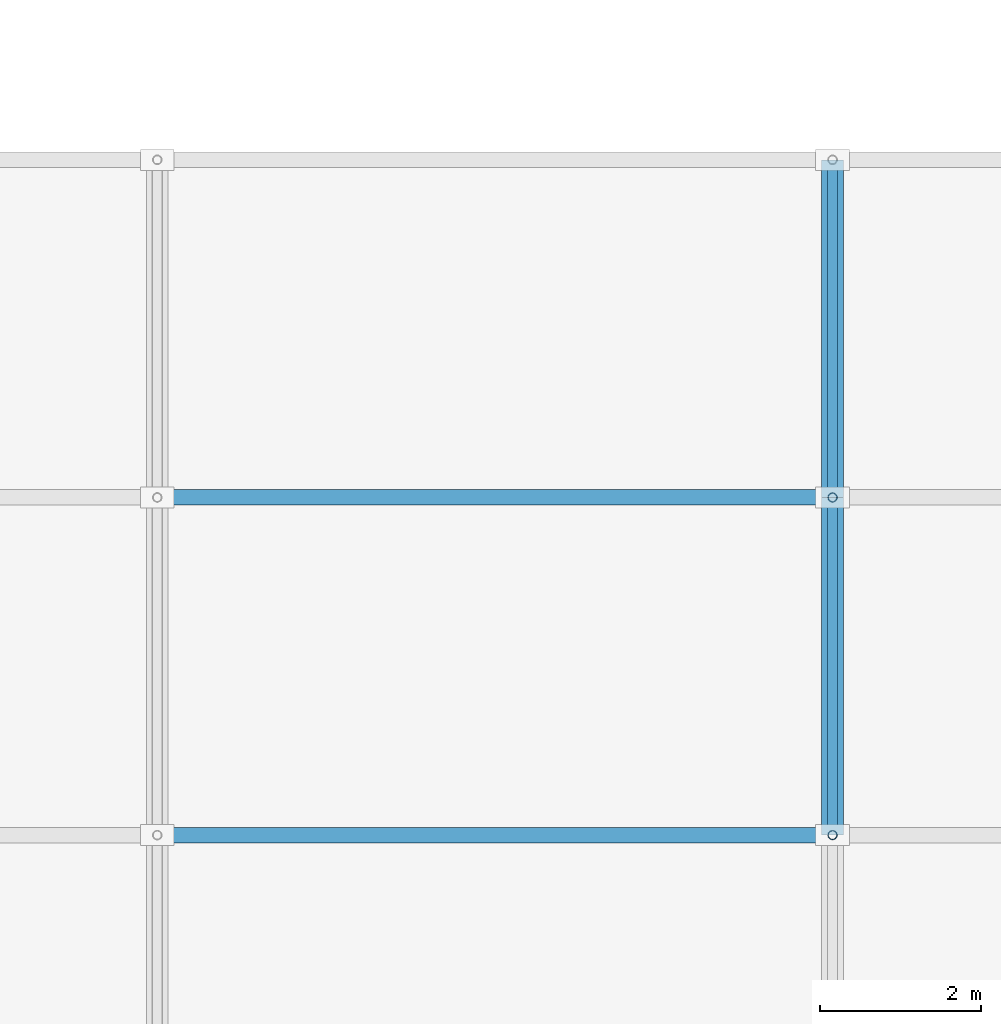
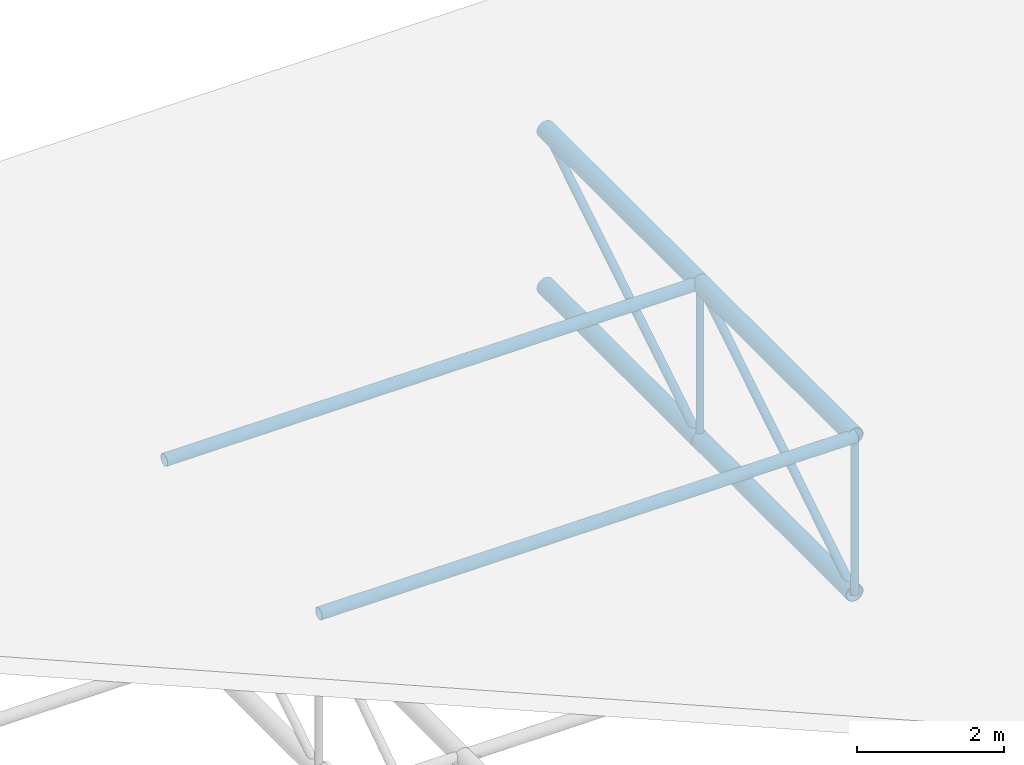
# One storey, part 28 of 140: 6 members, 4 beams.
"""IFC4 building model written with IfcOpenShell, lengths in metres."""

from ifc_helpers import new_model, si_unit, direction, frame, origin, origin_2d, place, context, subcontext, project, spatial, hollow_circle, extrude, material, material_profile, profile_set, type_object, element, save


model = new_model("IFC4")

# Units and contexts
model_context = context("Model", 3, precision=1e-05, world=origin(), true_north=direction((0.0, 1.0)))
body_context = subcontext(model_context, "Body", "Model", "MODEL_VIEW")
ifc_project = project(units=[si_unit("LENGTHUNIT", "METRE"), si_unit("AREAUNIT", "SQUARE_METRE"), si_unit("VOLUMEUNIT", "CUBIC_METRE"), si_unit("PLANEANGLEUNIT", "RADIAN"), si_unit("MASSUNIT", "GRAM", prefix="KILO")], contexts=[model_context])

# Site, building, storey
site_placement = place(None, origin())
site = spatial("IfcSite", under=ifc_project, at=site_placement, CompositionType="ELEMENT")
building_placement = place(site_placement, origin())
building = spatial("IfcBuilding", under=site, at=building_placement, Name="Varnapada Polytechnic", CompositionType="ELEMENT")
storey_placement = place(building_placement, frame((0.0, 0.0, 13.800048828125)))
storey = spatial("IfcBuildingStorey", under=building, at=storey_placement, Name="L03", CompositionType="ELEMENT", Elevation=13.800048828125)

# Members
ifc_material = material(Name="Steel S355", Category="steel")
ifc_material_profile_1 = material_profile(ifc_material, hollow_circle(Radius=0.096923828125, WallThickness=0.00634765625, at=origin_2d()), Name="CHS 193.7x6.3")
ifc_profile_set_1 = profile_set([ifc_material_profile_1], Name="Steel S355")
member_type_1 = type_object("IfcMemberType", Name="Canopy space frame longitudinal chord SFC-03 (CHS 193.7x6.3)", PredefinedType="CHORD", material=ifc_profile_set_1)
for number, where, z_axis, x_axis, name in (
    (1, (84.0, 21.0, -1.35009765625), (1.0, 0.0, 0.0), (0.0, 1.0, 0.0), "Entrance canopy longitudinal chord 2.2"),
    (2, (84.0, 16.800048828125, -1.35009765625), (1.0, 0.0, 0.0), (0.0, 1.0, 0.0), "Entrance canopy longitudinal chord 2.3"),
):
    element("IfcMember", number, at=place(storey_placement, frame(where, z_axis=z_axis, x_axis=x_axis)), inside=storey, type_object=member_type_1, Name=name, PredefinedType="CHORD", context=body_context, shape_type="SweptSolid", body=[
        extrude(hollow_circle(Radius=0.096923828125, WallThickness=0.00634765625, at=origin_2d()), origin(), (0.0, 0.0, 1.0), 8.39990234375),
    ])
ifc_material_profile_2 = material_profile(ifc_material, hollow_circle(Radius=0.05712890625, WallThickness=0.0048828125, at=origin_2d()), Name="CHS 114.3x5.0")
ifc_profile_set_2 = profile_set([ifc_material_profile_2], Name="Steel S355")
member_type_2 = type_object("IfcMemberType", Name="Canopy space frame web strut SFS-02 (CHS 114.3x5.0)", PredefinedType="STRUT", material=ifc_profile_set_2)
for number, where, z_axis, x_axis, name in (
    (3, (92.39990234375, 21.0, -3.949951171875), (0.0, 0.0, 1.0), (1.0, 0.0, 0.0), "Entrance canopy space frame post 3.2"),
    (4, (92.39990234375, 16.800048828125, -3.949951171875), (0.0, 0.0, 1.0), (1.0, 0.0, 0.0), "Entrance canopy space frame post 3.3"),
):
    element("IfcMember", number, at=place(storey_placement, frame(where, z_axis=z_axis, x_axis=x_axis)), inside=storey, type_object=member_type_2, Name=name, PredefinedType="STRUT", context=body_context, shape_type="SweptSolid", body=[
        extrude(hollow_circle(Radius=0.05712890625, WallThickness=0.0048828125, at=origin_2d()), origin(), (0.0, 0.0, 1.0), 2.599853515625),
    ])
ifc_material_profile_3 = material_profile(ifc_material, hollow_circle(Radius=0.0634765625, WallThickness=0.0048828125, at=origin_2d()), Name="CHS 127.0x5.0")
ifc_profile_set_3 = profile_set([ifc_material_profile_3], Name="Steel S355")
member_type_3 = type_object("IfcMemberType", Name="Canopy web diagonal SFB-04 (CHS 127.0x5.0)", PredefinedType="BRACE", material=ifc_profile_set_3)
for number, where, z_axis, x_axis, name in (
    (5, (92.39990234375, 25.199951171875, -1.35009765625), (0.0, -0.85027567993, -0.526337598999), (1.0, 0.0, 0.0), "Entrance canopy space frame web brace 3.1"),
    (6, (92.39990234375, 21.0, -1.35009765625), (0.0, -0.85027567993, -0.526337598999), (1.0, 0.0, 0.0), "Entrance canopy space frame web brace 3.2"),
):
    element("IfcMember", number, at=place(storey_placement, frame(where, z_axis=z_axis, x_axis=x_axis)), inside=storey, type_object=member_type_3, Name=name, PredefinedType="BRACE", context=body_context, shape_type="SweptSolid", body=[
        extrude(hollow_circle(Radius=0.0634765625, WallThickness=0.0048828125, at=origin_2d()), origin(), (0.0, 0.0, 1.0), 4.939453125),
    ])

# Beams
ifc_material_profile_4 = material_profile(ifc_material, hollow_circle(Radius=0.136474609375, WallThickness=0.010009765625, at=origin_2d()), Name="CHS 273.0x10.0")
ifc_profile_set_4 = profile_set([ifc_material_profile_4], Name="Steel S355")
beam_type = type_object("IfcBeamType", Name="Vaulted space frame canopy chord beam VA-03 (CHS 273.0x10.0)", PredefinedType="BEAM", material=ifc_profile_set_4)
for number, where, z_axis, x_axis, name in (
    (7, (92.39990234375, 25.199951171875, -3.949951171875), (0.0, -1.0, 0.0), (1.0, 0.0, 0.0), "Entrance canopy space frame bottom chord 3.1"),
    (8, (92.39990234375, 25.199951171875, -1.35009765625), (0.0, -1.0, 0.0), (1.0, 0.0, 0.0), "Entrance canopy space frame top chord 3.1"),
    (9, (92.39990234375, 21.0, -3.949951171875), (0.0, -1.0, 0.0), (1.0, 0.0, 0.0), "Entrance canopy space frame bottom chord 3.2"),
    (10, (92.39990234375, 21.0, -1.35009765625), (0.0, -1.0, 0.0), (1.0, 0.0, 0.0), "Entrance canopy space frame top chord 3.2"),
):
    element("IfcBeam", number, at=place(storey_placement, frame(where, z_axis=z_axis, x_axis=x_axis)), inside=storey, type_object=beam_type, Name=name, PredefinedType="BEAM", context=body_context, shape_type="SweptSolid", body=[
        extrude(hollow_circle(Radius=0.136474609375, WallThickness=0.010009765625, at=origin_2d()), origin(), (0.0, 0.0, 1.0), 4.199951171875),
    ])

save(model, "model.ifc")
